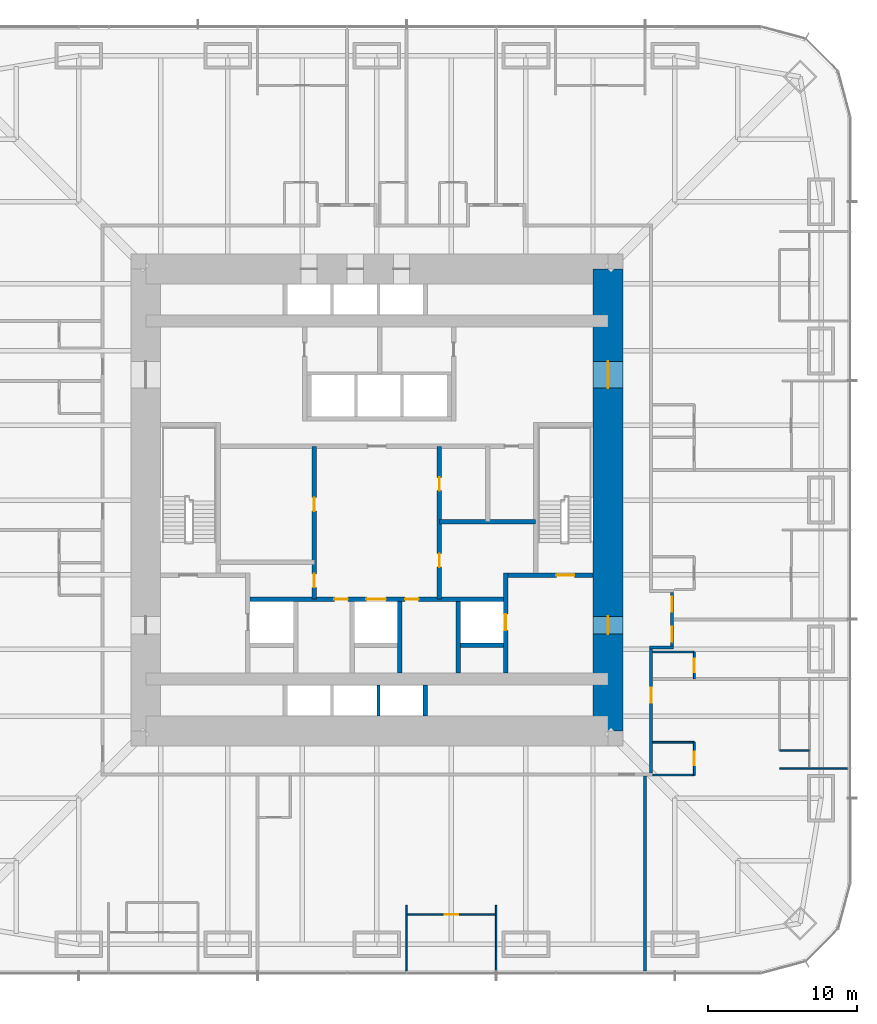
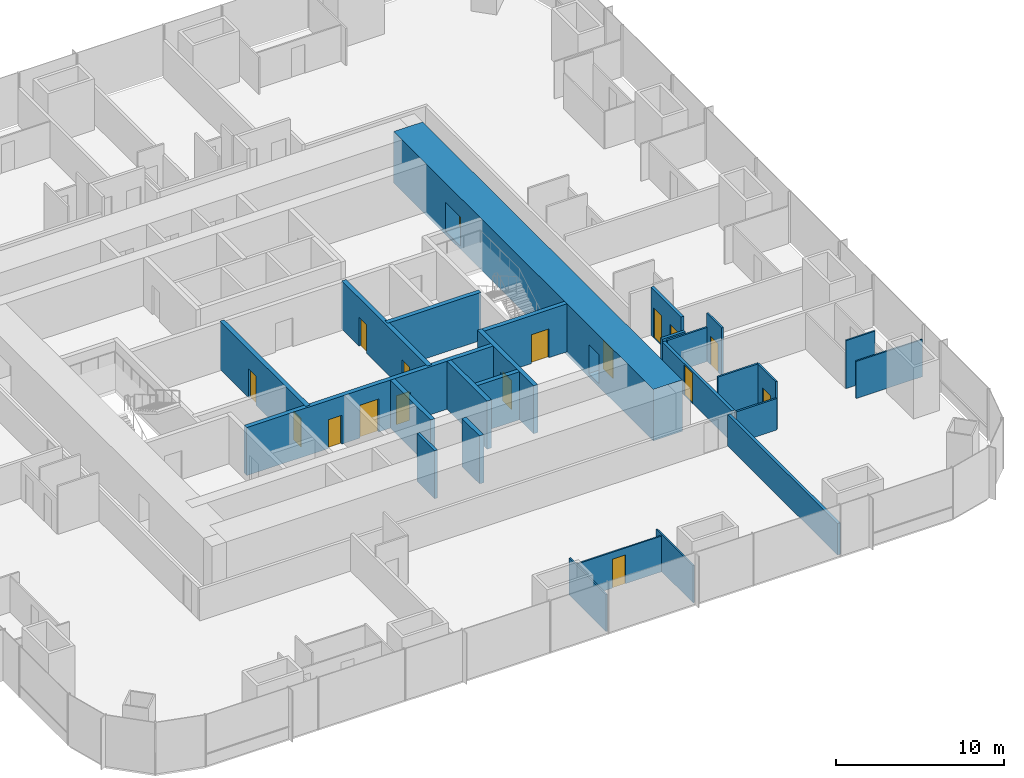
# One storey, part 13 of 17: 26 walls, 17 doors, 17 openings.
"""IFC4 building model written with IfcOpenShell, lengths in metres."""

from ifc_helpers import new_model, si_unit, direction, frame, frame_2d, origin, place, context, subcontext, project, spatial, rectangle, extrude, material, layer, layer_set, type_object, element, fill, save


model = new_model("IFC4")

# Units and contexts
model_context = context("Model", 3, precision=1e-05, world=origin(), true_north=direction((0.0, 1.0)))
body_context = subcontext(model_context, "Body", "Model", "MODEL_VIEW")
ifc_project = project(units=[si_unit("LENGTHUNIT", "METRE"), si_unit("AREAUNIT", "SQUARE_METRE"), si_unit("VOLUMEUNIT", "CUBIC_METRE"), si_unit("PLANEANGLEUNIT", "RADIAN"), si_unit("MASSUNIT", "GRAM", prefix="KILO")], contexts=[model_context])

# Site, building, storey
site_placement = place(None, origin())
site = spatial("IfcSite", under=ifc_project, at=site_placement, CompositionType="ELEMENT")
building_placement = place(site_placement, origin())
building = spatial("IfcBuilding", under=site, at=building_placement, Name="Khuree Lantern Residences", CompositionType="ELEMENT")
storey_placement = place(building_placement, frame((0.0, 0.0, 47.25)))
storey = spatial("IfcBuildingStorey", under=building, at=storey_placement, Name="L11", CompositionType="ELEMENT", Elevation=47.25)

# Wall, opening, door
ifc_material_1 = material(Name="Moisture-resistant gypsum board on steel studs", Category="steel")
ifc_layer_1 = layer(ifc_material_1, 0.125)
ifc_layer_set_1 = layer_set([ifc_layer_1], Name="BATHROOM WALL BTW125")
wall_type_1 = type_object("IfcWallType", Name="BATHROOM WALL BTW125", PredefinedType="PARTITIONING", material=ifc_layer_set_1)
wall_1_placement = place(storey_placement, frame((21.300048828125, -18.449951171875, 0.0), z_axis=(0.0, 0.0, 1.0), x_axis=(0.0, 1.0, 0.0)))
wall_1 = element("IfcWall", 1, at=wall_1_placement, inside=storey, type_object=wall_type_1, Name="L11 BATHROOM WALL 10", PredefinedType="PARTITIONING", context=body_context, shape_type="SweptSolid", body=[
    extrude(rectangle(XDim=2.199951171875, YDim=0.125, at=frame_2d((1.10009765625, 0.0))), origin(), (0.0, 0.0, 1.0), 3.5),
])
opening_1_placement = place(wall_1_placement, frame((0.64990234375, 0.0, 0.0)))
opening_1 = element("IfcOpeningElement", 2, at=opening_1_placement, cuts=wall_1, Name="Opening 11-059", PredefinedType="OPENING", context=body_context, shape_type="SweptSolid", body=[
    extrude(rectangle(XDim=0.89990234375, YDim=2.10009765625, at=frame_2d((0.449951171875, 1.050048828125))), frame((0.0, 0.072509765625, 0.0), z_axis=(0.0, -1.0, 0.0), x_axis=(1.0, 0.0, 0.0)), (0.0, 0.0, 1.0), 0.14501953125),
])
ifc_material_2 = material(Name="Timber door leaf in hardwood frame", Category="wood")
door_type_1 = type_object("IfcDoorType", Name="BATHROOM DOOR 900X2100", OperationType="SINGLE_SWING_LEFT", PredefinedType="DOOR", material=ifc_material_2)
door_1_placement = place(opening_1_placement, origin())
door_1 = element("IfcDoor", 3, at=door_1_placement, inside=storey, type_object=door_type_1, Name="Bathroom door 11-059", OperationType="SINGLE_SWING_LEFT", OverallHeight=2.10009765625, OverallWidth=0.89990234375, PredefinedType="DOOR", context=body_context, shape_type="SweptSolid", body=[
    extrude(rectangle(XDim=0.89990234375, YDim=2.10009765625, at=frame_2d((0.449951171875, 1.050048828125))), frame((0.0, 0.02490234375, 0.0), z_axis=(0.0, -1.0, 0.0), x_axis=(1.0, 0.0, 0.0)), (0.0, 0.0, 1.0), 0.050048828125),
])
fill(opening_1, door_1)

# Walls
wall_2_placement = place(storey_placement, frame((18.5, -18.449951171875, 0.0), z_axis=(0.0, 0.0, 1.0), x_axis=(1.0, 0.0, 0.0)))
element("IfcWall", 4, at=wall_2_placement, inside=storey, type_object=wall_type_1, Name="L11 BATHROOM WALL 10", PredefinedType="PARTITIONING", context=body_context, shape_type="SweptSolid", body=[
    extrude(rectangle(XDim=2.800048828125, YDim=0.125, at=frame_2d((1.39990234375, 0.0))), origin(), (0.0, 0.0, 1.0), 2.300048828125),
])
wall_3_placement = place(storey_placement, frame((18.5, -16.25, 0.0), z_axis=(0.0, 0.0, 1.0), x_axis=(1.0, 0.0, 0.0)))
element("IfcWall", 5, at=wall_3_placement, inside=storey, type_object=wall_type_1, Name="L11 BATHROOM WALL 10", PredefinedType="PARTITIONING", context=body_context, shape_type="SweptSolid", body=[
    extrude(rectangle(XDim=2.800048828125, YDim=0.125, at=frame_2d((1.39990234375, 0.0))), origin(), (0.0, 0.0, 1.0), 3.5),
])

# Wall, opening, door
wall_4_placement = place(storey_placement, frame((21.300048828125, -12.0, 0.0), z_axis=(0.0, 0.0, 1.0), x_axis=(0.0, 1.0, 0.0)))
wall_4 = element("IfcWall", 6, at=wall_4_placement, inside=storey, type_object=wall_type_1, Name="L11 BATHROOM WALL 11", PredefinedType="PARTITIONING", context=body_context, shape_type="SweptSolid", body=[
    extrude(rectangle(XDim=1.800048828125, YDim=0.125, at=frame_2d((0.89990234375, 0.0))), origin(), (0.0, 0.0, 1.0), 3.5),
])
opening_2_placement = place(wall_4_placement, frame((0.449951171875, 0.0, 0.0)))
opening_2 = element("IfcOpeningElement", 7, at=opening_2_placement, cuts=wall_4, Name="Opening 11-061", PredefinedType="OPENING", context=body_context, shape_type="SweptSolid", body=[
    extrude(rectangle(XDim=0.89990234375, YDim=2.10009765625, at=frame_2d((0.449951171875, 1.050048828125))), frame((0.0, 0.072509765625, 0.0), z_axis=(0.0, -1.0, 0.0), x_axis=(1.0, 0.0, 0.0)), (0.0, 0.0, 1.0), 0.14501953125),
])
door_2_placement = place(opening_2_placement, origin())
door_2 = element("IfcDoor", 8, at=door_2_placement, inside=storey, type_object=door_type_1, Name="Bathroom door 11-061", OperationType="SINGLE_SWING_LEFT", OverallHeight=2.10009765625, OverallWidth=0.89990234375, PredefinedType="DOOR", context=body_context, shape_type="SweptSolid", body=[
    extrude(rectangle(XDim=0.89990234375, YDim=2.10009765625, at=frame_2d((0.449951171875, 1.050048828125))), frame((0.0, 0.02490234375, 0.0), z_axis=(0.0, -1.0, 0.0), x_axis=(1.0, 0.0, 0.0)), (0.0, 0.0, 1.0), 0.050048828125),
])
fill(opening_2, door_2)

# Wall
wall_5_placement = place(storey_placement, frame((18.5, -10.199951171875, 0.0), z_axis=(0.0, 0.0, 1.0), x_axis=(1.0, 0.0, 0.0)))
element("IfcWall", 9, at=wall_5_placement, inside=storey, type_object=wall_type_1, Name="L11 BATHROOM WALL 11", PredefinedType="PARTITIONING", context=body_context, shape_type="SweptSolid", body=[
    extrude(rectangle(XDim=2.800048828125, YDim=0.125, at=frame_2d((1.39990234375, 0.0))), origin(), (0.0, 0.0, 1.0), 2.491943359375),
])

# Wall, opening, door
ifc_material_3 = material(Name="Dense concrete blockwork", Category="masonry")
ifc_layer_2 = layer(ifc_material_3, 0.300048828125)
ifc_layer_set_2 = layer_set([ifc_layer_2], Name="CORE PARTITION WALL CPW300 EI 120")
wall_type_2 = type_object("IfcWallType", Name="CORE PARTITION WALL CPW300 EI 120", PredefinedType="PARTITIONING", material=ifc_layer_set_2)
wall_6_placement = place(storey_placement, frame((8.64990234375, -11.60009765625, 0.0), z_axis=(0.0, 0.0, 1.0), x_axis=(0.0, 1.0, 0.0)))
wall_6 = element("IfcWall", 10, at=wall_6_placement, inside=storey, type_object=wall_type_2, Name="L11 CORE WALL FL2E", PredefinedType="PARTITIONING", context=body_context, shape_type="SweptSolid", body=[
    extrude(rectangle(XDim=6.7001953125, YDim=0.300048828125, at=frame_2d((3.35009765625, 0.0))), origin(), (0.0, 0.0, 1.0), 3.5),
])
opening_3_placement = place(wall_6_placement, frame((2.85009765625, 0.0, 0.0)))
opening_3 = element("IfcOpeningElement", 11, at=opening_3_placement, cuts=wall_6, Name="Opening 11-008", PredefinedType="OPENING", context=body_context, shape_type="SweptSolid", body=[
    extrude(rectangle(XDim=1.10009765625, YDim=2.10009765625, at=frame_2d((0.550048828125, 1.050048828125))), frame((0.0, 0.16015625, 0.0), z_axis=(0.0, -1.0, 0.0), x_axis=(1.0, 0.0, 0.0)), (0.0, 0.0, 1.0), 0.320068359375),
])
ifc_material_4 = material(Name="Stainless steel lift landing door", Category="steel")
door_type_2 = type_object("IfcDoorType", Name="LIFT LANDING DOOR 1100X2100 E 120", OperationType="DOUBLE_DOOR_SLIDING", PredefinedType="DOOR", material=ifc_material_4)
door_3_placement = place(opening_3_placement, origin())
door_3 = element("IfcDoor", 12, at=door_3_placement, inside=storey, type_object=door_type_2, Name="Landing door FL2 11-008", OperationType="DOUBLE_DOOR_SLIDING", OverallHeight=2.10009765625, OverallWidth=1.10009765625, PredefinedType="DOOR", context=body_context, shape_type="SweptSolid", body=[
    extrude(rectangle(XDim=1.10009765625, YDim=2.10009765625, at=frame_2d((0.550048828125, 1.050048828125))), frame((0.0, 0.02490234375, 0.0), z_axis=(0.0, -1.0, 0.0), x_axis=(1.0, 0.0, 0.0)), (0.0, 0.0, 1.0), 0.050048828125),
])
fill(opening_3, door_3)

# Wall, openings, doors
wall_7_placement = place(storey_placement, frame((-8.5, -6.64990234375, 0.0), z_axis=(0.0, 0.0, 1.0), x_axis=(1.0, 0.0, 0.0)))
wall_7 = element("IfcWall", 13, at=wall_7_placement, inside=storey, type_object=wall_type_2, Name="L11 CORE WALL FLROW", PredefinedType="PARTITIONING", context=body_context, shape_type="SweptSolid", body=[
    extrude(rectangle(XDim=17.0, YDim=0.300048828125, at=frame_2d((8.5, 0.0))), origin(), (0.0, 0.0, 1.0), 3.5),
])
opening_4_placement = place(wall_7_placement, frame((7.800048828125, 0.0, 0.0)))
opening_4 = element("IfcOpeningElement", 14, at=opening_4_placement, cuts=wall_7, Name="Opening 11-012", PredefinedType="OPENING", context=body_context, shape_type="SweptSolid", body=[
    extrude(rectangle(XDim=1.300048828125, YDim=2.39990234375, at=frame_2d((0.64990234375, 1.199951171875))), frame((0.0, 0.16015625, 0.0), z_axis=(0.0, -1.0, 0.0), x_axis=(1.0, 0.0, 0.0)), (0.0, 0.0, 1.0), 0.320068359375),
])
opening_5_placement = place(wall_7_placement, frame((5.64990234375, 0.0, 0.0)))
opening_5 = element("IfcOpeningElement", 15, at=opening_5_placement, cuts=wall_7, Name="Opening 11-014", PredefinedType="OPENING", context=body_context, shape_type="SweptSolid", body=[
    extrude(rectangle(XDim=0.89990234375, YDim=2.10009765625, at=frame_2d((0.449951171875, 1.050048828125))), frame((0.0, 0.16015625, 0.0), z_axis=(0.0, -1.0, 0.0), x_axis=(1.0, 0.0, 0.0)), (0.0, 0.0, 1.0), 0.320068359375),
])
opening_6_placement = place(wall_7_placement, frame((10.39990234375, 0.0, 0.0)))
opening_6 = element("IfcOpeningElement", 16, at=opening_6_placement, cuts=wall_7, Name="Opening 11-015", PredefinedType="OPENING", context=body_context, shape_type="SweptSolid", body=[
    extrude(rectangle(XDim=0.89990234375, YDim=2.10009765625, at=frame_2d((0.449951171875, 1.050048828125))), frame((0.0, 0.16015625, 0.0), z_axis=(0.0, -1.0, 0.0), x_axis=(1.0, 0.0, 0.0)), (0.0, 0.0, 1.0), 0.320068359375),
])
ifc_material_5 = material(Name="Steel door leaf in steel frame", Category="steel")
door_type_3 = type_object("IfcDoorType", Name="DOOR 900X2100 EI 60", OperationType="SINGLE_SWING_LEFT", PredefinedType="DOOR", material=ifc_material_5)
door_4_placement = place(opening_5_placement, origin())
door_4 = element("IfcDoor", 17, at=door_4_placement, inside=storey, type_object=door_type_3, Name="Refuse chute room door 11-014", OperationType="SINGLE_SWING_LEFT", OverallHeight=2.10009765625, OverallWidth=0.89990234375, PredefinedType="DOOR", context=body_context, shape_type="SweptSolid", body=[
    extrude(rectangle(XDim=0.89990234375, YDim=2.10009765625, at=frame_2d((0.449951171875, 1.050048828125))), frame((0.0, 0.02490234375, 0.0), z_axis=(0.0, -1.0, 0.0), x_axis=(1.0, 0.0, 0.0)), (0.0, 0.0, 1.0), 0.050048828125),
])
fill(opening_5, door_4)
door_type_4 = type_object("IfcDoorType", Name="DOOR 900X2100 EI 60 RIGHT HAND", OperationType="SINGLE_SWING_RIGHT", PredefinedType="DOOR", material=ifc_material_5)
door_5_placement = place(opening_6_placement, origin())
door_5 = element("IfcDoor", 18, at=door_5_placement, inside=storey, type_object=door_type_4, Name="Electrical and plumbing riser door 11-015", OperationType="SINGLE_SWING_RIGHT", OverallHeight=2.10009765625, OverallWidth=0.89990234375, PredefinedType="DOOR", context=body_context, shape_type="SweptSolid", body=[
    extrude(rectangle(XDim=0.89990234375, YDim=2.10009765625, at=frame_2d((0.449951171875, 1.050048828125))), frame((0.0, 0.02490234375, 0.0), z_axis=(0.0, -1.0, 0.0), x_axis=(1.0, 0.0, 0.0)), (0.0, 0.0, 1.0), 0.050048828125),
])
fill(opening_6, door_5)
door_type_5 = type_object("IfcDoorType", Name="LIFT LANDING DOOR 1300X2400 E 60", OperationType="DOUBLE_DOOR_SLIDING", PredefinedType="DOOR", material=ifc_material_4)
door_6_placement = place(opening_4_placement, origin())
door_6 = element("IfcDoor", 19, at=door_6_placement, inside=storey, type_object=door_type_5, Name="Landing door SL1 11-012", OperationType="DOUBLE_DOOR_SLIDING", OverallHeight=2.39990234375, OverallWidth=1.300048828125, PredefinedType="DOOR", context=body_context, shape_type="SweptSolid", body=[
    extrude(rectangle(XDim=1.300048828125, YDim=2.39990234375, at=frame_2d((0.64990234375, 1.199951171875))), frame((0.0, 0.02490234375, 0.0), z_axis=(0.0, -1.0, 0.0), x_axis=(1.0, 0.0, 0.0)), (0.0, 0.0, 1.0), 0.050048828125),
])
fill(opening_4, door_6)

# Walls
for number, where, z_axis, x_axis, name in (
    (20, (1.550048828125, -11.60009765625, 0.0), (0.0, 0.0, 1.0), (0.0, 1.0, 0.0), "L11 CORE WALL SL1E"),
    (21, (5.449951171875, -11.60009765625, 0.0), (0.0, 0.0, 1.0), (0.0, 1.0, 0.0), "L11 CORE WALL FL2W"),
):
    element("IfcWall", number, at=place(storey_placement, frame(where, z_axis=z_axis, x_axis=x_axis)), inside=storey, type_object=wall_type_2, Name=name, PredefinedType="PARTITIONING", context=body_context, shape_type="SweptSolid", body=[
        extrude(rectangle(XDim=4.800048828125, YDim=0.300048828125, at=frame_2d((2.39990234375, 0.0))), origin(), (0.0, 0.0, 1.0), 3.5),
    ])
wall_8_placement = place(storey_placement, frame((5.60009765625, -9.75, 0.0), z_axis=(0.0, 0.0, 1.0), x_axis=(1.0, 0.0, 0.0)))
element("IfcWall", 22, at=wall_8_placement, inside=storey, type_object=wall_type_2, Name="L11 CORE WALL FL2S", PredefinedType="PARTITIONING", context=body_context, shape_type="SweptSolid", body=[
    extrude(rectangle(XDim=2.89990234375, YDim=0.300048828125, at=frame_2d((1.449951171875, 0.0))), origin(), (0.0, 0.0, 1.0), 3.5),
])
wall_9_placement = place(storey_placement, frame((3.25, -14.5, 0.0), z_axis=(0.0, 0.0, 1.0), x_axis=(0.0, 1.0, 0.0)))
element("IfcWall", 23, at=wall_9_placement, inside=storey, type_object=wall_type_2, Name="L11 CORE WALL PME", PredefinedType="PARTITIONING", context=body_context, shape_type="SweptSolid", body=[
    extrude(rectangle(XDim=2.10009765625, YDim=0.300048828125, at=frame_2d((1.050048828125, 0.0))), origin(), (0.0, 0.0, 1.0), 3.5),
])

# Wall, openings, doors
wall_10_placement = place(storey_placement, frame((-4.199951171875, -6.64990234375, 0.0), z_axis=(0.0, 0.0, 1.0), x_axis=(0.0, 1.0, 0.0)))
wall_10 = element("IfcWall", 24, at=wall_10_placement, inside=storey, type_object=wall_type_2, Name="L11 CORE WALL SVW", PredefinedType="PARTITIONING", context=body_context, shape_type="SweptSolid", body=[
    extrude(rectangle(XDim=10.25, YDim=0.300048828125, at=frame_2d((5.125, 0.0))), origin(), (0.0, 0.0, 1.0), 3.5),
])
opening_7_placement = place(wall_10_placement, frame((0.787109375, 0.0, 0.0)))
opening_7 = element("IfcOpeningElement", 25, at=opening_7_placement, cuts=wall_10, Name="Opening 11-016", PredefinedType="OPENING", context=body_context, shape_type="SweptSolid", body=[
    extrude(rectangle(XDim=0.89990234375, YDim=2.10009765625, at=frame_2d((0.449951171875, 1.050048828125))), frame((0.0, 0.16015625, 0.0), z_axis=(0.0, -1.0, 0.0), x_axis=(1.0, 0.0, 0.0)), (0.0, 0.0, 1.0), 0.320068359375),
])
opening_8_placement = place(wall_10_placement, frame((5.912109375, 0.0, 0.0)))
opening_8 = element("IfcOpeningElement", 26, at=opening_8_placement, cuts=wall_10, Name="Opening 11-017", PredefinedType="OPENING", context=body_context, shape_type="SweptSolid", body=[
    extrude(rectangle(XDim=0.89990234375, YDim=2.10009765625, at=frame_2d((0.449951171875, 1.050048828125))), frame((0.0, 0.16015625, 0.0), z_axis=(0.0, -1.0, 0.0), x_axis=(1.0, 0.0, 0.0)), (0.0, 0.0, 1.0), 0.320068359375),
])
door_type_6 = type_object("IfcDoorType", Name="DOOR 900X2100", OperationType="SINGLE_SWING_LEFT", PredefinedType="DOOR", material=ifc_material_2)
door_7_placement = place(opening_7_placement, origin())
door_7 = element("IfcDoor", 27, at=door_7_placement, inside=storey, type_object=door_type_6, Name="Refuse holding room door 11-016", OperationType="SINGLE_SWING_LEFT", OverallHeight=2.10009765625, OverallWidth=0.89990234375, PredefinedType="DOOR", context=body_context, shape_type="SweptSolid", body=[
    extrude(rectangle(XDim=0.89990234375, YDim=2.10009765625, at=frame_2d((0.449951171875, 1.050048828125))), frame((0.0, 0.02490234375, 0.0), z_axis=(0.0, -1.0, 0.0), x_axis=(1.0, 0.0, 0.0)), (0.0, 0.0, 1.0), 0.050048828125),
])
fill(opening_7, door_7)
door_8_placement = place(opening_8_placement, origin())
door_8 = element("IfcDoor", 28, at=door_8_placement, inside=storey, type_object=door_type_6, Name="Residents' store door 11-017", OperationType="SINGLE_SWING_LEFT", OverallHeight=2.10009765625, OverallWidth=0.89990234375, PredefinedType="DOOR", context=body_context, shape_type="SweptSolid", body=[
    extrude(rectangle(XDim=0.89990234375, YDim=2.10009765625, at=frame_2d((0.449951171875, 1.050048828125))), frame((0.0, 0.02490234375, 0.0), z_axis=(0.0, -1.0, 0.0), x_axis=(1.0, 0.0, 0.0)), (0.0, 0.0, 1.0), 0.050048828125),
])
fill(opening_8, door_8)

wall_11_placement = place(storey_placement, frame((4.199951171875, -6.64990234375, 0.0), z_axis=(0.0, 0.0, 1.0), x_axis=(0.0, 1.0, 0.0)))
wall_11 = element("IfcWall", 29, at=wall_11_placement, inside=storey, type_object=wall_type_2, Name="L11 CORE WALL SVE", PredefinedType="PARTITIONING", context=body_context, shape_type="SweptSolid", body=[
    extrude(rectangle(XDim=10.25, YDim=0.300048828125, at=frame_2d((5.125, 0.0))), origin(), (0.0, 0.0, 1.0), 3.5),
])
opening_9_placement = place(wall_11_placement, frame((2.14990234375, 0.0, 0.0)))
opening_9 = element("IfcOpeningElement", 30, at=opening_9_placement, cuts=wall_11, Name="Opening 11-018", PredefinedType="OPENING", context=body_context, shape_type="SweptSolid", body=[
    extrude(rectangle(XDim=0.89990234375, YDim=2.10009765625, at=frame_2d((0.449951171875, 1.050048828125))), frame((0.0, 0.16015625, 0.0), z_axis=(0.0, -1.0, 0.0), x_axis=(1.0, 0.0, 0.0)), (0.0, 0.0, 1.0), 0.320068359375),
])
opening_10_placement = place(wall_11_placement, frame((7.27490234375, 0.0, 0.0)))
opening_10 = element("IfcOpeningElement", 31, at=opening_10_placement, cuts=wall_11, Name="Opening 11-019", PredefinedType="OPENING", context=body_context, shape_type="SweptSolid", body=[
    extrude(rectangle(XDim=0.89990234375, YDim=2.10009765625, at=frame_2d((0.449951171875, 1.050048828125))), frame((0.0, 0.16015625, 0.0), z_axis=(0.0, -1.0, 0.0), x_axis=(1.0, 0.0, 0.0)), (0.0, 0.0, 1.0), 0.320068359375),
])
door_9_placement = place(opening_9_placement, origin())
door_9 = element("IfcDoor", 32, at=door_9_placement, inside=storey, type_object=door_type_6, Name="Residents' store door 11-018", OperationType="SINGLE_SWING_LEFT", OverallHeight=2.10009765625, OverallWidth=0.89990234375, PredefinedType="DOOR", context=body_context, shape_type="SweptSolid", body=[
    extrude(rectangle(XDim=0.89990234375, YDim=2.10009765625, at=frame_2d((0.449951171875, 1.050048828125))), frame((0.0, 0.02490234375, 0.0), z_axis=(0.0, -1.0, 0.0), x_axis=(1.0, 0.0, 0.0)), (0.0, 0.0, 1.0), 0.050048828125),
])
fill(opening_9, door_9)
door_type_7 = type_object("IfcDoorType", Name="DOOR 900X2100 RIGHT HAND", OperationType="SINGLE_SWING_RIGHT", PredefinedType="DOOR", material=ifc_material_2)
door_10_placement = place(opening_10_placement, origin())
door_10 = element("IfcDoor", 33, at=door_10_placement, inside=storey, type_object=door_type_7, Name="Refuse holding room door 11-019", OperationType="SINGLE_SWING_RIGHT", OverallHeight=2.10009765625, OverallWidth=0.89990234375, PredefinedType="DOOR", context=body_context, shape_type="SweptSolid", body=[
    extrude(rectangle(XDim=0.89990234375, YDim=2.10009765625, at=frame_2d((0.449951171875, 1.050048828125))), frame((0.0, 0.02490234375, 0.0), z_axis=(0.0, -1.0, 0.0), x_axis=(1.0, 0.0, 0.0)), (0.0, 0.0, 1.0), 0.050048828125),
])
fill(opening_10, door_10)

# Wall
wall_12_placement = place(storey_placement, frame((10.64990234375, -1.449951171875, 0.0), z_axis=(0.0, 0.0, 1.0), x_axis=(-1.0, 0.0, 0.0)))
element("IfcWall", 34, at=wall_12_placement, inside=storey, type_object=wall_type_2, Name="L11 CORE WALL EX", PredefinedType="PARTITIONING", context=body_context, shape_type="SweptSolid", body=[
    extrude(rectangle(XDim=6.449951171875, YDim=0.300048828125, at=frame_2d((3.22509765625, 0.0))), origin(), (0.0, 0.0, 1.0), 3.5),
])

# Wall, opening, door
ifc_material_6 = material(Name="Gypsum board on steel studs", Category="steel")
ifc_layer_3 = layer(ifc_material_6, 0.199951171875)
ifc_layer_set_3 = layer_set([ifc_layer_3], Name="CORRIDOR WALL CRW200 EI 60")
wall_type_3 = type_object("IfcWallType", Name="CORRIDOR WALL CRW200 EI 60", PredefinedType="PARTITIONING", material=ifc_layer_set_3)
wall_13_placement = place(storey_placement, frame((18.39990234375, -18.300048828125, 0.0), z_axis=(0.0, 0.0, 1.0), x_axis=(0.0, 1.0, 0.0)))
wall_13 = element("IfcWall", 35, at=wall_13_placement, inside=storey, type_object=wall_type_3, Name="L11 CORRIDOR WALL EAST 1", PredefinedType="PARTITIONING", context=body_context, shape_type="SweptSolid", body=[
    extrude(rectangle(XDim=8.300048828125, YDim=0.199951171875, at=frame_2d((4.14990234375, 0.0))), origin(), (0.0, 0.0, 1.0), 2.300048828125),
])
opening_11_placement = place(wall_13_placement, frame((4.699951171875, 0.0, 0.0)))
opening_11 = element("IfcOpeningElement", 36, at=opening_11_placement, cuts=wall_13, Name="Opening 11-060", PredefinedType="OPENING", context=body_context, shape_type="SweptSolid", body=[
    extrude(rectangle(XDim=1.0, YDim=2.199951171875, at=frame_2d((0.5, 1.10009765625))), frame((0.0, 0.10986328125, 0.0), z_axis=(0.0, -1.0, 0.0), x_axis=(1.0, 0.0, 0.0)), (0.0, 0.0, 1.0), 0.219970703125),
])
door_type_8 = type_object("IfcDoorType", Name="APARTMENT ENTRANCE DOOR 1000X2200 EI 30S", OperationType="SINGLE_SWING_LEFT", PredefinedType="DOOR", material=ifc_material_2)
door_11_placement = place(opening_11_placement, origin())
door_11 = element("IfcDoor", 37, at=door_11_placement, inside=storey, type_object=door_type_8, Name="Apartment 10 entrance door 11-060", OperationType="SINGLE_SWING_LEFT", OverallHeight=2.199951171875, OverallWidth=1.0, PredefinedType="DOOR", context=body_context, shape_type="SweptSolid", body=[
    extrude(rectangle(XDim=1.0, YDim=2.199951171875, at=frame_2d((0.5, 1.10009765625))), frame((0.0, 0.02490234375, 0.0), z_axis=(0.0, -1.0, 0.0), x_axis=(1.0, 0.0, 0.0)), (0.0, 0.0, 1.0), 0.050048828125),
])
fill(opening_11, door_11)

# Wall
wall_14_placement = place(storey_placement, frame((18.300048828125, -9.89990234375, 0.0), z_axis=(0.0, 0.0, 1.0), x_axis=(1.0, 0.0, 0.0)))
element("IfcWall", 38, at=wall_14_placement, inside=storey, type_object=wall_type_3, Name="L11 CORRIDOR ALCOVE WALL EAST", PredefinedType="PARTITIONING", context=body_context, shape_type="SweptSolid", body=[
    extrude(rectangle(XDim=1.599853515625, YDim=0.199951171875, at=frame_2d((0.7998046875, 0.0))), origin(), (0.0, 0.0, 1.0), 2.491943359375),
])

# Wall, openings, doors
wall_15_placement = place(storey_placement, frame((19.800048828125, -9.800048828125, 0.0), z_axis=(0.0, 0.0, 1.0), x_axis=(0.0, 1.0, 0.0)))
wall_15 = element("IfcWall", 39, at=wall_15_placement, inside=storey, type_object=wall_type_3, Name="L11 CORRIDOR ALCOVE WALL EAST", PredefinedType="PARTITIONING", context=body_context, shape_type="SweptSolid", body=[
    extrude(rectangle(XDim=3.60009765625, YDim=0.199951171875, at=frame_2d((1.800048828125, 0.0))), origin(), (0.0, 0.0, 1.0), 3.5),
])
opening_12_placement = place(wall_15_placement, frame((2.300048828125, 0.0, 0.0)))
opening_12 = element("IfcOpeningElement", 40, at=opening_12_placement, cuts=wall_15, Name="Opening 11-025", PredefinedType="OPENING", context=body_context, shape_type="SweptSolid", body=[
    extrude(rectangle(XDim=1.0, YDim=2.199951171875, at=frame_2d((0.5, 1.10009765625))), frame((0.0, 0.10986328125, 0.0), z_axis=(0.0, -1.0, 0.0), x_axis=(1.0, 0.0, 0.0)), (0.0, 0.0, 1.0), 0.219970703125),
])
opening_13_placement = place(wall_15_placement, frame((0.300048828125, 0.0, 0.0)))
opening_13 = element("IfcOpeningElement", 41, at=opening_13_placement, cuts=wall_15, Name="Opening 11-062", PredefinedType="OPENING", context=body_context, shape_type="SweptSolid", body=[
    extrude(rectangle(XDim=1.0, YDim=2.199951171875, at=frame_2d((0.5, 1.10009765625))), frame((0.0, 0.10986328125, 0.0), z_axis=(0.0, -1.0, 0.0), x_axis=(1.0, 0.0, 0.0)), (0.0, 0.0, 1.0), 0.219970703125),
])
door_12_placement = place(opening_13_placement, origin())
door_12 = element("IfcDoor", 42, at=door_12_placement, inside=storey, type_object=door_type_8, Name="Apartment 11 entrance door 11-062", OperationType="SINGLE_SWING_LEFT", OverallHeight=2.199951171875, OverallWidth=1.0, PredefinedType="DOOR", context=body_context, shape_type="SweptSolid", body=[
    extrude(rectangle(XDim=1.0, YDim=2.199951171875, at=frame_2d((0.5, 1.10009765625))), frame((0.0, 0.02490234375, 0.0), z_axis=(0.0, -1.0, 0.0), x_axis=(1.0, 0.0, 0.0)), (0.0, 0.0, 1.0), 0.050048828125),
])
fill(opening_13, door_12)
door_type_9 = type_object("IfcDoorType", Name="APARTMENT ENTRANCE DOOR 1000X2200 EI 30S RIGHT HAND", OperationType="SINGLE_SWING_RIGHT", PredefinedType="DOOR", material=ifc_material_2)
door_13_placement = place(opening_12_placement, origin())
door_13 = element("IfcDoor", 43, at=door_13_placement, inside=storey, type_object=door_type_9, Name="Apartment 01 entrance door 11-025", OperationType="SINGLE_SWING_RIGHT", OverallHeight=2.199951171875, OverallWidth=1.0, PredefinedType="DOOR", context=body_context, shape_type="SweptSolid", body=[
    extrude(rectangle(XDim=1.0, YDim=2.199951171875, at=frame_2d((0.5, 1.10009765625))), frame((0.0, 0.02490234375, 0.0), z_axis=(0.0, -1.0, 0.0), x_axis=(1.0, 0.0, 0.0)), (0.0, 0.0, 1.0), 0.050048828125),
])
fill(opening_12, door_13)

ifc_material_7 = material(Name="Concrete C70/85", Category="concrete")
ifc_layer_4 = layer(ifc_material_7, 2.0)
ifc_layer_set_4 = layer_set([ifc_layer_4], Name="CW2000-C70 CORE WALL C70 2000")
wall_type_4 = type_object("IfcWallType", Name="CW2000-C70 CORE WALL C70 2000", PredefinedType="SHEAR", material=ifc_layer_set_4)
wall_16_placement = place(storey_placement, frame((15.5, -15.5, -0.25), z_axis=(0.0, 0.0, 1.0), x_axis=(0.0, 1.0, 0.0)))
wall_16 = element("IfcWall", 44, at=wall_16_placement, inside=storey, type_object=wall_type_4, Name="Core wall E", PredefinedType="SHEAR", context=body_context, shape_type="SweptSolid", body=[
    extrude(rectangle(XDim=31.0, YDim=2.0, at=frame_2d((15.5, 0.0))), origin(), (0.0, 0.0, 1.0), 3.75),
])
opening_14_placement = place(wall_16_placement, frame((6.5, 0.0, 0.25)))
opening_14 = element("IfcOpeningElement", 45, at=opening_14_placement, cuts=wall_16, Name="Opening 11-005", PredefinedType="OPENING", context=body_context, shape_type="SweptSolid", body=[
    extrude(rectangle(XDim=1.199951171875, YDim=2.10009765625, at=frame_2d((0.60009765625, 1.050048828125))), frame((0.0, 1.010009765625, 0.0), z_axis=(0.0, -1.0, 0.0), x_axis=(1.0, 0.0, 0.0)), (0.0, 0.0, 1.0), 2.02001953125),
])
opening_15_placement = place(wall_16_placement, frame((23.0, 0.0, 0.25)))
opening_15 = element("IfcOpeningElement", 46, at=opening_15_placement, cuts=wall_16, Name="Opening 11-006", PredefinedType="OPENING", context=body_context, shape_type="SweptSolid", body=[
    extrude(rectangle(XDim=1.800048828125, YDim=2.10009765625, at=frame_2d((0.89990234375, 1.050048828125))), frame((0.0, 1.010009765625, 0.0), z_axis=(0.0, -1.0, 0.0), x_axis=(1.0, 0.0, 0.0)), (0.0, 0.0, 1.0), 2.02001953125),
])
door_type_10 = type_object("IfcDoorType", Name="LOBBY DOOR 1200X2100 EI 120", OperationType="SINGLE_SWING_LEFT", PredefinedType="DOOR", material=ifc_material_5)
door_14_placement = place(opening_14_placement, origin())
door_14 = element("IfcDoor", 47, at=door_14_placement, inside=storey, type_object=door_type_10, Name="Firefighting lobby door 11-005", OperationType="SINGLE_SWING_LEFT", OverallHeight=2.10009765625, OverallWidth=1.199951171875, PredefinedType="DOOR", context=body_context, shape_type="SweptSolid", body=[
    extrude(rectangle(XDim=1.199951171875, YDim=2.10009765625, at=frame_2d((0.60009765625, 1.050048828125))), frame((0.0, 0.02490234375, 0.0), z_axis=(0.0, -1.0, 0.0), x_axis=(1.0, 0.0, 0.0)), (0.0, 0.0, 1.0), 0.050048828125),
])
fill(opening_14, door_14)
door_type_11 = type_object("IfcDoorType", Name="LOBBY DOUBLE DOOR 1800X2100 EI 60", OperationType="DOUBLE_DOOR_SINGLE_SWING", PredefinedType="DOOR", material=ifc_material_5)
door_15_placement = place(opening_15_placement, origin())
door_15 = element("IfcDoor", 48, at=door_15_placement, inside=storey, type_object=door_type_11, Name="Lift lobby door 11-006", OperationType="DOUBLE_DOOR_SINGLE_SWING", OverallHeight=2.10009765625, OverallWidth=1.800048828125, PredefinedType="DOOR", context=body_context, shape_type="SweptSolid", body=[
    extrude(rectangle(XDim=1.800048828125, YDim=2.10009765625, at=frame_2d((0.89990234375, 1.050048828125))), frame((0.0, 0.02490234375, 0.0), z_axis=(0.0, -1.0, 0.0), x_axis=(1.0, 0.0, 0.0)), (0.0, 0.0, 1.0), 0.050048828125),
])
fill(opening_15, door_15)

# Walls
ifc_layer_5 = layer(ifc_material_6, 0.199951171875)
ifc_layer_set_5 = layer_set([ifc_layer_5], Name="DEMISING WALL DMW200 EI 90")
wall_type_5 = type_object("IfcWallType", Name="DEMISING WALL DMW200 EI 90", PredefinedType="PARTITIONING", material=ifc_layer_set_5)
wall_17_placement = place(storey_placement, frame((18.0, -18.5, 0.0), z_axis=(0.0, 0.0, 1.0), x_axis=(0.0, -1.0, 0.0)))
element("IfcWall", 49, at=wall_17_placement, inside=storey, type_object=wall_type_5, Name="L11 DEMISING WALL 10", PredefinedType="PARTITIONING", context=body_context, shape_type="SweptSolid", body=[
    extrude(rectangle(XDim=13.10009765625, YDim=0.199951171875, at=frame_2d((6.550048828125, 0.0))), origin(), (0.0, 0.0, 1.0), 2.300048828125),
])
ifc_layer_6 = layer(ifc_material_6, 0.10009765625)
ifc_layer_set_6 = layer_set([ifc_layer_6], Name="PARTITION PT100")
wall_type_6 = type_object("IfcWallType", Name="PARTITION PT100", PredefinedType="PARTITIONING", material=ifc_layer_set_6)
for number, where, z_axis, x_axis, name in (
    (50, (2.0, -27.199951171875, 0.0), (0.0, 0.0, 1.0), (0.0, -1.0, 0.0), "L11 PARTITION 09"),
    (51, (8.0, -27.199951171875, 0.0), (0.0, 0.0, 1.0), (0.0, -1.0, 0.0), "L11 PARTITION 09"),
):
    element("IfcWall", number, at=place(storey_placement, frame(where, z_axis=z_axis, x_axis=x_axis)), inside=storey, type_object=wall_type_6, Name=name, PredefinedType="PARTITIONING", context=body_context, shape_type="SweptSolid", body=[
        extrude(rectangle(XDim=4.400146484375, YDim=0.10009765625, at=frame_2d((2.2001953125, 0.0))), origin(), (0.0, 0.0, 1.0), 2.7099609375),
    ])
wall_18_placement = place(storey_placement, frame((27.0166015625, -18.0, 0.0), z_axis=(0.0, 0.0, 1.0), x_axis=(1.0, 0.0, 0.0)))
element("IfcWall", 52, at=wall_18_placement, inside=storey, type_object=wall_type_6, Name="L11 PARTITION 10", PredefinedType="PARTITIONING", context=body_context, shape_type="SweptSolid", body=[
    extrude(rectangle(XDim=4.58349609375, YDim=0.10009765625, at=frame_2d((2.291748046875, 0.0))), origin(), (0.0, 0.0, 1.0), 2.7099609375),
])

# Wall, opening, door
wall_19_placement = place(storey_placement, frame((2.0, -27.800048828125, 0.0), z_axis=(0.0, 0.0, 1.0), x_axis=(1.0, 0.0, 0.0)))
wall_19 = element("IfcWall", 53, at=wall_19_placement, inside=storey, type_object=wall_type_6, Name="L11 PARTITION 09", PredefinedType="PARTITIONING", context=body_context, shape_type="SweptSolid", body=[
    extrude(rectangle(XDim=6.0, YDim=0.10009765625, at=frame_2d((3.0, 0.0))), origin(), (0.0, 0.0, 1.0), 2.610107421875),
])
opening_16_placement = place(wall_19_placement, frame((2.550048828125, 0.0, 0.0)))
opening_16 = element("IfcOpeningElement", 54, at=opening_16_placement, cuts=wall_19, Name="Opening 11-054", PredefinedType="OPENING", context=body_context, shape_type="SweptSolid", body=[
    extrude(rectangle(XDim=0.89990234375, YDim=2.10009765625, at=frame_2d((0.449951171875, 1.050048828125))), frame((0.0, 0.06005859375, 0.0), z_axis=(0.0, -1.0, 0.0), x_axis=(1.0, 0.0, 0.0)), (0.0, 0.0, 1.0), 0.1201171875),
])
door_type_12 = type_object("IfcDoorType", Name="BEDROOM DOOR 900X2100", OperationType="SINGLE_SWING_LEFT", PredefinedType="DOOR", material=ifc_material_2)
door_16_placement = place(opening_16_placement, origin())
door_16 = element("IfcDoor", 55, at=door_16_placement, inside=storey, type_object=door_type_12, Name="Bedroom door 11-054", OperationType="SINGLE_SWING_LEFT", OverallHeight=2.10009765625, OverallWidth=0.89990234375, PredefinedType="DOOR", context=body_context, shape_type="SweptSolid", body=[
    extrude(rectangle(XDim=0.89990234375, YDim=2.10009765625, at=frame_2d((0.449951171875, 1.050048828125))), frame((0.0, 0.02490234375, 0.0), z_axis=(0.0, -1.0, 0.0), x_axis=(1.0, 0.0, 0.0)), (0.0, 0.0, 1.0), 0.050048828125),
])
fill(opening_16, door_16)

# Walls
wall_20_placement = place(storey_placement, frame((27.0166015625, -16.800048828125, 0.0), z_axis=(0.0, 0.0, 1.0), x_axis=(1.0, 0.0, 0.0)))
element("IfcWall", 56, at=wall_20_placement, inside=storey, type_object=wall_type_6, Name="L11 PARTITION 10", PredefinedType="PARTITIONING", context=body_context, shape_type="SweptSolid", body=[
    extrude(rectangle(XDim=2.0, YDim=0.10009765625, at=frame_2d((1.0, 0.0))), origin(), (0.0, 0.0, 1.0), 3.5),
])
ifc_layer_7 = layer(ifc_material_3, 0.199951171875)
ifc_layer_set_7 = layer_set([ifc_layer_7], Name="SHAFT WALL SHW200 EI 120")
wall_type_7 = type_object("IfcWallType", Name="SHAFT WALL SHW200 EI 120", PredefinedType="PARTITIONING", material=ifc_layer_set_7)
wall_21_placement = place(storey_placement, frame((0.10009765625, -14.5, 0.0), z_axis=(0.0, 0.0, 1.0), x_axis=(0.0, 1.0, 0.0)))
element("IfcWall", 57, at=wall_21_placement, inside=storey, type_object=wall_type_7, Name="L11 CORE WALL PMD2", PredefinedType="PARTITIONING", context=body_context, shape_type="SweptSolid", body=[
    extrude(rectangle(XDim=2.10009765625, YDim=0.199951171875, at=frame_2d((1.050048828125, 0.0))), origin(), (0.0, 0.0, 1.0), 3.5),
])

# Wall, opening, door
ifc_material_8 = material(Name="Concrete C50/60", Category="concrete")
ifc_layer_8 = layer(ifc_material_8, 0.300048828125)
ifc_layer_set_8 = layer_set([ifc_layer_8], Name="STAIR WALL SRW300 C50/60 REI 240")
wall_type_8 = type_object("IfcWallType", Name="STAIR WALL SRW300 C50/60 REI 240", PredefinedType="SOLIDWALL", material=ifc_layer_set_8)
wall_22_placement = place(storey_placement, frame((14.5, -5.050048828125, 0.0), z_axis=(0.0, 0.0, 1.0), x_axis=(-1.0, 0.0, 0.0)))
wall_22 = element("IfcWall", 58, at=wall_22_placement, inside=storey, type_object=wall_type_8, Name="L11 STAIR WALL ST2S", PredefinedType="SOLIDWALL", context=body_context, shape_type="SweptSolid", body=[
    extrude(rectangle(XDim=5.699951171875, YDim=0.300048828125, at=frame_2d((2.85009765625, 0.0))), origin(), (0.0, 0.0, 1.0), 3.5),
])
opening_17_placement = place(wall_22_placement, frame((1.25, 0.0, 0.0)))
opening_17 = element("IfcOpeningElement", 59, at=opening_17_placement, cuts=wall_22, Name="Opening 11-004", PredefinedType="OPENING", context=body_context, shape_type="SweptSolid", body=[
    extrude(rectangle(XDim=1.199951171875, YDim=2.10009765625, at=frame_2d((0.60009765625, 1.050048828125))), frame((0.0, 0.16015625, 0.0), z_axis=(0.0, -1.0, 0.0), x_axis=(1.0, 0.0, 0.0)), (0.0, 0.0, 1.0), 0.320068359375),
])
door_type_13 = type_object("IfcDoorType", Name="STAIR DOOR 1200X2100 EI 120", OperationType="SINGLE_SWING_LEFT", PredefinedType="DOOR", material=ifc_material_5)
door_17_placement = place(opening_17_placement, origin())
door_17 = element("IfcDoor", 60, at=door_17_placement, inside=storey, type_object=door_type_13, Name="Stair ST2 door 11-004", OperationType="SINGLE_SWING_LEFT", OverallHeight=2.10009765625, OverallWidth=1.199951171875, PredefinedType="DOOR", context=body_context, shape_type="SweptSolid", body=[
    extrude(rectangle(XDim=1.199951171875, YDim=2.10009765625, at=frame_2d((0.60009765625, 1.050048828125))), frame((0.0, 0.02490234375, 0.0), z_axis=(0.0, -1.0, 0.0), x_axis=(1.0, 0.0, 0.0)), (0.0, 0.0, 1.0), 0.050048828125),
])
fill(opening_17, door_17)

save(model, "model.ifc")
